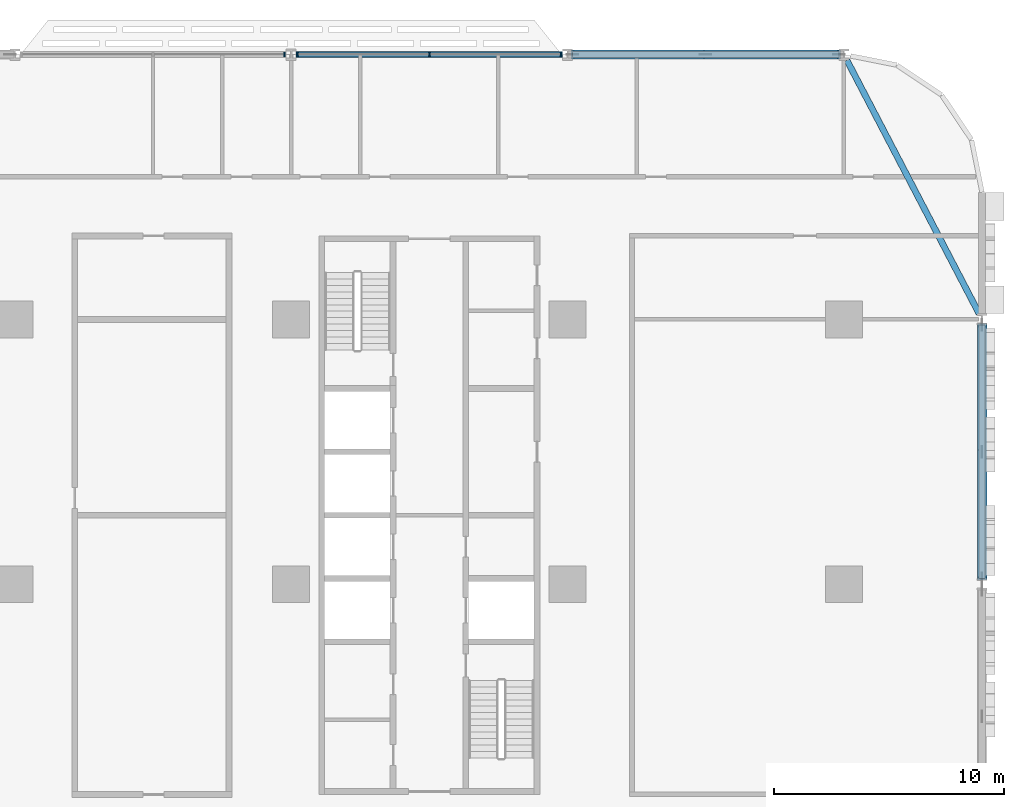
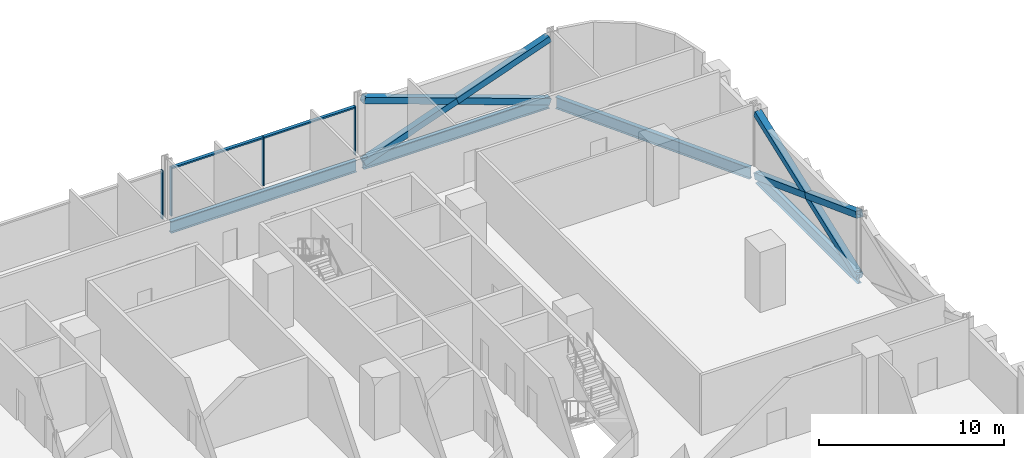
# One storey, part 8 of 27: 12 members, 4 beams, 2 elements without a shape of their own.
"""IFC4 building model written with IfcOpenShell, lengths in metres."""

from ifc_helpers import new_model, si_unit, direction, frame, origin, origin_2d, place, context, subcontext, project, spatial, rectangle, hollow_rectangle, i_section, extrude, material, material_profile, profile_set, type_object, element, aggregate, save


model = new_model("IFC4")

# Units and contexts
model_context = context("Model", 3, precision=1e-05, world=origin(), true_north=direction((0.0, 1.0)))
body_context = subcontext(model_context, "Body", "Model", "MODEL_VIEW")
ifc_project = project(units=[si_unit("LENGTHUNIT", "METRE"), si_unit("AREAUNIT", "SQUARE_METRE"), si_unit("VOLUMEUNIT", "CUBIC_METRE"), si_unit("PLANEANGLEUNIT", "RADIAN"), si_unit("MASSUNIT", "GRAM", prefix="KILO")], contexts=[model_context])

# Site, building, storey
site_placement = place(None, origin())
site = spatial("IfcSite", under=ifc_project, at=site_placement, CompositionType="ELEMENT")
building_placement = place(site_placement, origin())
building = spatial("IfcBuilding", under=site, at=building_placement, Name="Mahtab Terrace Research Tower", CompositionType="ELEMENT")
storey_placement = place(building_placement, frame((0.0, 0.0, 28.699951171875)))
storey = spatial("IfcBuildingStorey", under=building, at=storey_placement, Name="L06", CompositionType="ELEMENT", Elevation=28.699951171875)

# Members
ifc_material_1 = material(Name="Steel ASTM A500 Gr C", Category="steel")
ifc_material_profile_1 = material_profile(ifc_material_1, hollow_rectangle(XDim=0.406494140625, YDim=0.406494140625, WallThickness=0.01904296875, at=origin_2d()), Name="HSS16X16X3/4")
ifc_profile_set_1 = profile_set([ifc_material_profile_1], Name="Steel ASTM A500 Gr C")
member_type_1 = type_object("IfcMemberType", Name="HSS 16x16x3/4 brace XB161634", PredefinedType="BRACE", material=ifc_profile_set_1)
member_1_placement = place(storey_placement, frame((41.7841796875, 23.0, -0.64111328125), z_axis=(-0.941388097231, 0.0, 0.337325436917), x_axis=(0.0, -1.0, 0.0)))
element("IfcMember", 1, at=member_1_placement, inside=storey, type_object=member_type_1, Name="Exoskeleton brace L06 01 a", PredefinedType="BRACE", context=body_context, shape_type="SweptSolid", body=[
    extrude(hollow_rectangle(XDim=0.406494140625, YDim=0.406494140625, WallThickness=0.01904296875, at=origin_2d()), origin(), (0.0, 0.0, 1.0), 12.28857421875),
])
for number, where, z_axis, x_axis, name in (
    (2, (30.2158203125, 23.0, -0.64111328125), (0.941381788192, 0.0, 0.337343043295), (0.0, 1.0, 0.0), "Exoskeleton brace L06 01 b1"),
    (3, (36.0, 23.0, 1.431640625), (0.941394406025, 0.0, 0.337307830185), (0.0, 1.0, 0.0), "Exoskeleton brace L06 01 b2"),
):
    element("IfcMember", number, at=place(storey_placement, frame(where, z_axis=z_axis, x_axis=x_axis)), inside=storey, type_object=member_type_1, Name=name, PredefinedType="BRACE", context=body_context, shape_type="SweptSolid", body=[
        extrude(hollow_rectangle(XDim=0.406494140625, YDim=0.406494140625, WallThickness=0.01904296875, at=origin_2d()), origin(), (0.0, 0.0, 1.0), 6.144287109375),
    ])
member_2_placement = place(storey_placement, frame((48.0, 0.248779296875, -0.625244140625), z_axis=(0.0, 0.936668691391, 0.350216736563), x_axis=(-1.0, 0.0, 0.0)))
element("IfcMember", 4, at=member_2_placement, inside=storey, type_object=member_type_1, Name="Exoskeleton brace L06 21 a", PredefinedType="BRACE", context=body_context, shape_type="SweptSolid", body=[
    extrude(hollow_rectangle(XDim=0.406494140625, YDim=0.406494140625, WallThickness=0.01904296875, at=origin_2d()), origin(), (0.0, 0.0, 1.0), 11.746337890625),
])
for number, where, z_axis, x_axis, name in (
    (5, (48.0, 11.251220703125, -0.625244140625), (0.0, -0.936668691391, 0.350216736563), (1.0, 0.0, 0.0), "Exoskeleton brace L06 21 b1"),
    (6, (48.0, 5.75, 1.431640625), (0.0, -0.936668691391, 0.350216736563), (1.0, 0.0, 0.0), "Exoskeleton brace L06 21 b2"),
):
    element("IfcMember", number, at=place(storey_placement, frame(where, z_axis=z_axis, x_axis=x_axis)), inside=storey, type_object=member_type_1, Name=name, PredefinedType="BRACE", context=body_context, shape_type="SweptSolid", body=[
        extrude(hollow_rectangle(XDim=0.406494140625, YDim=0.406494140625, WallThickness=0.01904296875, at=origin_2d()), origin(), (0.0, 0.0, 1.0), 5.873291015625),
    ])

# Curtain wall, members
ifc_material_2 = material(Name="Laboratory ribbon curtain wall")
curtain_wall_type = type_object("IfcCurtainWallType", Name="Laboratory ribbon curtain wall", PredefinedType="NOTDEFINED", material=ifc_material_2)
curtain_wall_1_placement = place(storey_placement, origin())
curtain_wall_1 = element("IfcCurtainWall", 7, at=curtain_wall_1_placement, inside=storey, type_object=curtain_wall_type, Name="EN.L06.3.4", PredefinedType="NOTDEFINED")
ifc_material_3 = material(Name="Natural anodised aluminium", Category="aluminium")
ifc_material_profile_2 = material_profile(ifc_material_3, rectangle(XDim=0.199951171875, YDim=0.06494140625, at=origin_2d()), Name="MULLION 65x200")
ifc_profile_set_2 = profile_set([ifc_material_profile_2], Name="Natural anodised aluminium")
member_type_2 = type_object("IfcMemberType", Name="Laboratory ribbon curtain wall mullion", PredefinedType="MULLION", material=ifc_profile_set_2)
member_3_placement = place(storey_placement, frame((29.718505859375, 23.0, 0.0), z_axis=(0.0, 0.0, 1.0), x_axis=(0.0, -1.0, 0.0)))
member_3 = element("IfcMember", 8, at=member_3_placement, type_object=member_type_2, Name="CWL-1 mullion 1", PredefinedType="MULLION", context=body_context, shape_type="SweptSolid", body=[
    extrude(rectangle(XDim=0.199951171875, YDim=0.06494140625, at=origin_2d()), origin(), (0.0, 0.0, 1.0), 3.203125),
])
member_4_placement = place(storey_placement, frame((24.0, 23.0, 0.0), z_axis=(0.0, 0.0, 1.0), x_axis=(0.0, -1.0, 0.0)))
member_4 = element("IfcMember", 9, at=member_4_placement, type_object=member_type_2, Name="CWL-1 mullion 2", PredefinedType="MULLION", context=body_context, shape_type="SweptSolid", body=[
    extrude(rectangle(XDim=0.199951171875, YDim=0.06494140625, at=origin_2d()), origin(), (0.0, 0.0, 1.0), 3.203125),
])
member_5_placement = place(storey_placement, frame((18.281494140625, 23.0, 0.0), z_axis=(0.0, 0.0, 1.0), x_axis=(0.0, -1.0, 0.0)))
member_5 = element("IfcMember", 10, at=member_5_placement, type_object=member_type_2, Name="CWL-1 mullion 3", PredefinedType="MULLION", context=body_context, shape_type="SweptSolid", body=[
    extrude(rectangle(XDim=0.199951171875, YDim=0.06494140625, at=origin_2d()), origin(), (0.0, 0.0, 1.0), 3.203125),
])

# Curtain wall, member
curtain_wall_2_placement = place(storey_placement, origin())
curtain_wall_2 = element("IfcCurtainWall", 11, at=curtain_wall_2_placement, inside=storey, type_object=curtain_wall_type, Name="EN.L06.3.5", PredefinedType="NOTDEFINED")
member_6_placement = place(storey_placement, frame((17.718505859375, 23.0, 0.0), z_axis=(0.0, 0.0, 1.0), x_axis=(0.0, -1.0, 0.0)))
member_6 = element("IfcMember", 12, at=member_6_placement, type_object=member_type_2, Name="CWL-1 mullion 1", PredefinedType="MULLION", context=body_context, shape_type="SweptSolid", body=[
    extrude(rectangle(XDim=0.199951171875, YDim=0.06494140625, at=origin_2d()), origin(), (0.0, 0.0, 1.0), 3.203125),
])
aggregate(curtain_wall_2, [member_6])

# Member
ifc_material_profile_3 = material_profile(ifc_material_3, rectangle(XDim=0.199951171875, YDim=0.10009765625, at=origin_2d()), Name="TRANSOM 100x200")
ifc_profile_set_3 = profile_set([ifc_material_profile_3], Name="Natural anodised aluminium")
member_type_3 = type_object("IfcMemberType", Name="Laboratory ribbon curtain wall transom", PredefinedType="USERDEFINED", material=ifc_profile_set_3)
member_7_placement = place(storey_placement, frame((29.68603515625, 23.0, 3.153076171875), z_axis=(-1.0, 0.0, 0.0), x_axis=(0.0, -1.0, 0.0)))
member_7 = element("IfcMember", 13, at=member_7_placement, type_object=member_type_3, Name="CWL-1 transom 1", ObjectType="TRANSOM", PredefinedType="USERDEFINED", context=body_context, shape_type="SweptSolid", body=[
    extrude(rectangle(XDim=0.199951171875, YDim=0.10009765625, at=origin_2d()), origin(), (0.0, 0.0, 1.0), 5.653564453125),
])

member_8_placement = place(storey_placement, frame((23.967529296875, 23.0, 3.153076171875), z_axis=(-1.0, 0.0, 0.0), x_axis=(0.0, -1.0, 0.0)))
member_8 = element("IfcMember", 14, at=member_8_placement, type_object=member_type_3, Name="CWL-1 transom 2", ObjectType="TRANSOM", PredefinedType="USERDEFINED", context=body_context, shape_type="SweptSolid", body=[
    extrude(rectangle(XDim=0.199951171875, YDim=0.10009765625, at=origin_2d()), origin(), (0.0, 0.0, 1.0), 5.653564453125),
])

aggregate(curtain_wall_1, [member_3, member_4, member_5, member_7, member_8])

# Beams
ifc_material_4 = material(Name="Steel ASTM A992 Gr 50", Category="steel")
ifc_material_profile_4 = material_profile(ifc_material_4, i_section(OverallWidth=0.2666015625, OverallDepth=0.7568359375, WebThickness=0.013916015625, FlangeThickness=0.019287109375, at=origin_2d()), Name="W30X108")
ifc_profile_set_4 = profile_set([ifc_material_profile_4], Name="Steel ASTM A992 Gr 50")
beam_type = type_object("IfcBeamType", Name="W30x108 beam BS30108", PredefinedType="BEAM", material=ifc_profile_set_4)
for number, where, z_axis, x_axis, name in (
    (15, (41.7841796875, 23.0, -0.718505859375), (-1.0, 0.0, 0.0), (0.0, -1.0, 0.0), "Spandrel beam L06 01"),
    (16, (29.7841796875, 23.0, -0.718505859375), (-1.0, 0.0, 0.0), (0.0, -1.0, 0.0), "Spandrel beam L06 02"),
):
    element("IfcBeam", number, at=place(storey_placement, frame(where, z_axis=z_axis, x_axis=x_axis)), inside=storey, type_object=beam_type, Name=name, PredefinedType="BEAM", context=body_context, shape_type="SweptSolid", body=[
        extrude(i_section(OverallWidth=0.2666015625, OverallDepth=0.7568359375, WebThickness=0.013916015625, FlangeThickness=0.019287109375, at=origin_2d()), origin(), (0.0, 0.0, 1.0), 11.568359375),
    ])
beam_1_placement = place(storey_placement, frame((48.0, 0.248779296875, -0.718505859375), z_axis=(0.0, 1.0, 0.0), x_axis=(-1.0, 0.0, 0.0)))
element("IfcBeam", 17, at=beam_1_placement, inside=storey, type_object=beam_type, Name="Spandrel beam L06 21", PredefinedType="BEAM", context=body_context, shape_type="SweptSolid", body=[
    extrude(i_section(OverallWidth=0.2666015625, OverallDepth=0.7568359375, WebThickness=0.013916015625, FlangeThickness=0.019287109375, at=origin_2d()), origin(), (0.0, 0.0, 1.0), 11.00244140625),
])
beam_2_placement = place(storey_placement, frame((47.8701171875, 11.748779296875, -0.718505859375), z_axis=(-0.462555249274, 0.88659045865, 0.0), x_axis=(-0.88659045865, -0.462555249274, 0.0)))
element("IfcBeam", 18, at=beam_2_placement, inside=storey, type_object=beam_type, Name="Spandrel beam L06 22", PredefinedType="BEAM", context=body_context, shape_type="SweptSolid", body=[
    extrude(i_section(OverallWidth=0.2666015625, OverallDepth=0.7568359375, WebThickness=0.013916015625, FlangeThickness=0.019287109375, at=origin_2d()), origin(), (0.0, 0.0, 1.0), 12.409912109375),
])

save(model, "model.ifc")
